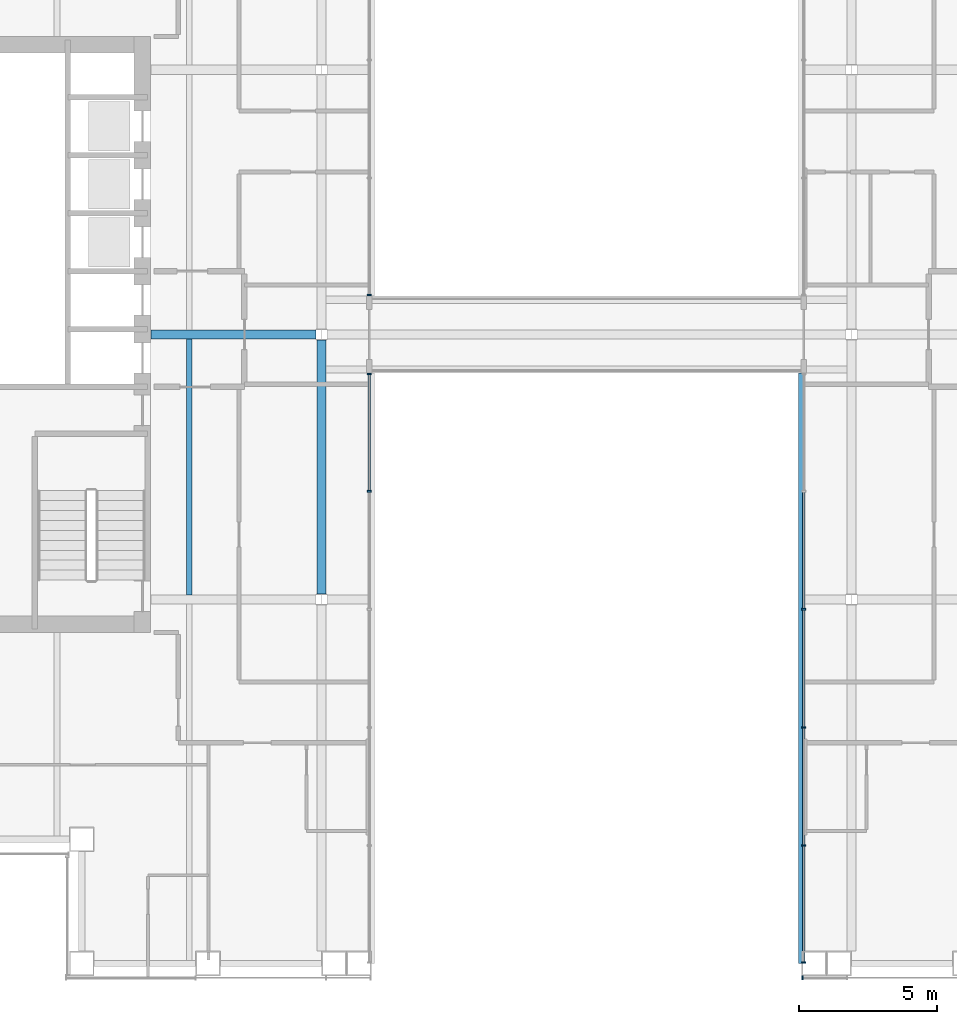
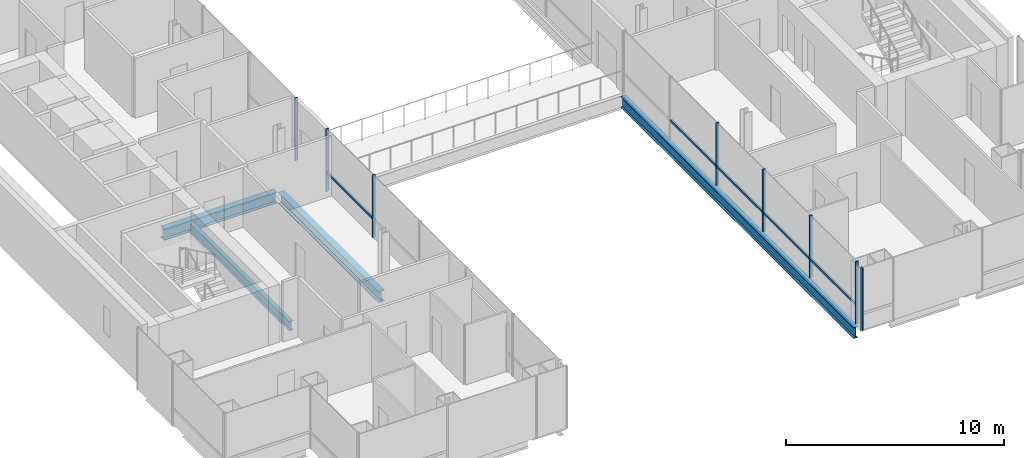
# One storey, part 3 of 16: 13 members, 4 beams, 4 elements without a shape of their own.
"""IFC4 building model written with IfcOpenShell, lengths in metres."""

from ifc_helpers import new_model, si_unit, direction, frame, origin, origin_2d, place, context, subcontext, project, spatial, rectangle, i_section, extrude, material, material_profile, profile_set, type_object, element, aggregate, save


model = new_model("IFC4")

# Units and contexts
model_context = context("Model", 3, precision=1e-05, world=origin(), true_north=direction((0.0, 1.0)))
body_context = subcontext(model_context, "Body", "Model", "MODEL_VIEW")
ifc_project = project(units=[si_unit("LENGTHUNIT", "METRE"), si_unit("AREAUNIT", "SQUARE_METRE"), si_unit("VOLUMEUNIT", "CUBIC_METRE"), si_unit("PLANEANGLEUNIT", "RADIAN"), si_unit("MASSUNIT", "GRAM", prefix="KILO")], contexts=[model_context])

# Site, building, storey
site_placement = place(None, origin())
site = spatial("IfcSite", under=ifc_project, at=site_placement, CompositionType="ELEMENT")
building_placement = place(site_placement, origin())
building = spatial("IfcBuilding", under=site, at=building_placement, Name="Cobrizo Arcos Hotel Tower", CompositionType="ELEMENT")
storey_placement = place(building_placement, frame((0.0, 0.0, 127.5)))
storey = spatial("IfcBuildingStorey", under=building, at=storey_placement, Name="L32", CompositionType="ELEMENT", Elevation=127.5)

# Curtain wall, member
ifc_material_1 = material(Name="Aluminium 6063-T6 anodised bronze", Category="aluminium")
curtain_wall_type_1 = type_object("IfcCurtainWallType", Name="CW-A guest facade", PredefinedType="NOTDEFINED", material=ifc_material_1)
curtain_wall_1_placement = place(storey_placement, origin())
curtain_wall_1 = element("IfcCurtainWall", 1, at=curtain_wall_1_placement, inside=storey, type_object=curtain_wall_type_1, Name="CW-A L32 S face", PredefinedType="NOTDEFINED")
ifc_material_profile_1 = material_profile(ifc_material_1, rectangle(XDim=0.14990234375, YDim=0.06005859375, at=origin_2d()), Name="CW-A mullion 150x60")
ifc_profile_set_1 = profile_set([ifc_material_profile_1], Name="Aluminium 6063-T6 anodised bronze")
member_type_1 = type_object("IfcMemberType", Name="CW-A mullion 150x60", PredefinedType="MULLION", material=ifc_profile_set_1)
member_1_placement = place(storey_placement, frame((7.830078125, -23.324951171875, 0.0), z_axis=(0.0, 0.0, 1.0), x_axis=(0.0, -1.0, 0.0)))
member_1 = element("IfcMember", 2, at=member_1_placement, type_object=member_type_1, Name="CW-A mullion 1", PredefinedType="MULLION", context=body_context, shape_type="SweptSolid", body=[
    extrude(rectangle(XDim=0.14990234375, YDim=0.06005859375, at=origin_2d()), origin(), (0.0, 0.0, 1.0), 3.5),
])
aggregate(curtain_wall_1, [member_1])

# Curtain wall, members
curtain_wall_type_2 = type_object("IfcCurtainWallType", Name="CW-F void screen", PredefinedType="NOTDEFINED", material=ifc_material_1)
curtain_wall_2_placement = place(storey_placement, origin())
curtain_wall_2 = element("IfcCurtainWall", 3, at=curtain_wall_2_placement, inside=storey, type_object=curtain_wall_type_2, Name="CW-F L32 void screen B", PredefinedType="NOTDEFINED")
ifc_material_profile_2 = material_profile(ifc_material_1, rectangle(XDim=0.14990234375, YDim=0.06005859375, at=origin_2d()), Name="CW-F mullion 150x60")
ifc_profile_set_2 = profile_set([ifc_material_profile_2], Name="Aluminium 6063-T6 anodised bronze")
member_type_2 = type_object("IfcMemberType", Name="CW-F mullion 150x60", PredefinedType="MULLION", material=ifc_profile_set_2)
member_2_placement = place(storey_placement, frame((7.875, -22.77001953125, 0.0), z_axis=(0.0, 0.0, 1.0), x_axis=(1.0, 0.0, 0.0)))
member_2 = element("IfcMember", 4, at=member_2_placement, type_object=member_type_2, Name="CW-F mullion 1", PredefinedType="MULLION", context=body_context, shape_type="SweptSolid", body=[
    extrude(rectangle(XDim=0.14990234375, YDim=0.06005859375, at=origin_2d()), origin(), (0.0, 0.0, 1.0), 3.5),
])
member_3_placement = place(storey_placement, frame((7.875, -18.52001953125, 0.0), z_axis=(0.0, 0.0, 1.0), x_axis=(1.0, 0.0, 0.0)))
member_3 = element("IfcMember", 5, at=member_3_placement, type_object=member_type_2, Name="CW-F mullion 2", PredefinedType="MULLION", context=body_context, shape_type="SweptSolid", body=[
    extrude(rectangle(XDim=0.14990234375, YDim=0.06005859375, at=origin_2d()), origin(), (0.0, 0.0, 1.0), 3.5),
])
member_4_placement = place(storey_placement, frame((7.875, -14.239990234375, 0.0), z_axis=(0.0, 0.0, 1.0), x_axis=(1.0, 0.0, 0.0)))
member_4 = element("IfcMember", 6, at=member_4_placement, type_object=member_type_2, Name="CW-F mullion 3", PredefinedType="MULLION", context=body_context, shape_type="SweptSolid", body=[
    extrude(rectangle(XDim=0.14990234375, YDim=0.06005859375, at=origin_2d()), origin(), (0.0, 0.0, 1.0), 3.5),
])
member_5_placement = place(storey_placement, frame((7.875, -9.9599609375, 0.0), z_axis=(0.0, 0.0, 1.0), x_axis=(1.0, 0.0, 0.0)))
member_5 = element("IfcMember", 7, at=member_5_placement, type_object=member_type_2, Name="CW-F mullion 4", PredefinedType="MULLION", context=body_context, shape_type="SweptSolid", body=[
    extrude(rectangle(XDim=0.14990234375, YDim=0.06005859375, at=origin_2d()), origin(), (0.0, 0.0, 1.0), 3.5),
])

# Curtain wall, member
curtain_wall_3_placement = place(storey_placement, origin())
curtain_wall_3 = element("IfcCurtainWall", 8, at=curtain_wall_3_placement, inside=storey, type_object=curtain_wall_type_2, Name="CW-F L32 void screen B", PredefinedType="NOTDEFINED")
member_6_placement = place(storey_placement, frame((-7.875, 1.429931640625, 0.0), z_axis=(0.0, 0.0, 1.0), x_axis=(-1.0, 0.0, 0.0)))
member_6 = element("IfcMember", 9, at=member_6_placement, type_object=member_type_2, Name="CW-F mullion 6", PredefinedType="MULLION", context=body_context, shape_type="SweptSolid", body=[
    extrude(rectangle(XDim=0.14990234375, YDim=0.06005859375, at=origin_2d()), origin(), (0.0, 0.0, 1.0), 3.5),
])
aggregate(curtain_wall_3, [member_6])

# Curtain wall, members
curtain_wall_4_placement = place(storey_placement, origin())
curtain_wall_4 = element("IfcCurtainWall", 10, at=curtain_wall_4_placement, inside=storey, type_object=curtain_wall_type_2, Name="CW-F L32 void screen B", PredefinedType="NOTDEFINED")
member_7_placement = place(storey_placement, frame((-7.875, -1.429931640625, 0.0), z_axis=(0.0, 0.0, 1.0), x_axis=(-1.0, 0.0, 0.0)))
member_7 = element("IfcMember", 11, at=member_7_placement, type_object=member_type_2, Name="CW-F mullion 1", PredefinedType="MULLION", context=body_context, shape_type="SweptSolid", body=[
    extrude(rectangle(XDim=0.14990234375, YDim=0.06005859375, at=origin_2d()), origin(), (0.0, 0.0, 1.0), 3.5),
])
member_8_placement = place(storey_placement, frame((-7.875, -5.679931640625, 0.0), z_axis=(0.0, 0.0, 1.0), x_axis=(-1.0, 0.0, 0.0)))
member_8 = element("IfcMember", 12, at=member_8_placement, type_object=member_type_2, Name="CW-F mullion 2", PredefinedType="MULLION", context=body_context, shape_type="SweptSolid", body=[
    extrude(rectangle(XDim=0.14990234375, YDim=0.06005859375, at=origin_2d()), origin(), (0.0, 0.0, 1.0), 3.5),
])

# Member
ifc_material_profile_3 = material_profile(ifc_material_1, rectangle(XDim=0.10009765625, YDim=0.1201171875, at=origin_2d()), Name="CW-F transom 120x100")
ifc_profile_set_3 = profile_set([ifc_material_profile_3], Name="Aluminium 6063-T6 anodised bronze")
member_type_3 = type_object("IfcMemberType", Name="CW-F transom 120x100", PredefinedType="USERDEFINED", material=ifc_profile_set_3)
member_9_placement = place(storey_placement, frame((7.875, -22.739990234375, 1.050048828125), z_axis=(0.0, 1.0, 0.0), x_axis=(-1.0, 0.0, 0.0)))
member_9 = element("IfcMember", 13, at=member_9_placement, type_object=member_type_3, Name="CW-F transom 2626", ObjectType="TRANSOM", PredefinedType="USERDEFINED", context=body_context, shape_type="SweptSolid", body=[
    extrude(rectangle(XDim=0.10009765625, YDim=0.1201171875, at=origin_2d()), origin(), (0.0, 0.0, 1.0), 4.18994140625),
])

member_10_placement = place(storey_placement, frame((7.875, -18.489990234375, 1.050048828125), z_axis=(0.0, 1.0, 0.0), x_axis=(-1.0, 0.0, 0.0)))
member_10 = element("IfcMember", 14, at=member_10_placement, type_object=member_type_3, Name="CW-F transom 2627", ObjectType="TRANSOM", PredefinedType="USERDEFINED", context=body_context, shape_type="SweptSolid", body=[
    extrude(rectangle(XDim=0.10009765625, YDim=0.1201171875, at=origin_2d()), origin(), (0.0, 0.0, 1.0), 4.219970703125),
])

member_11_placement = place(storey_placement, frame((7.875, -14.2099609375, 1.050048828125), z_axis=(0.0, 1.0, 0.0), x_axis=(-1.0, 0.0, 0.0)))
member_11 = element("IfcMember", 15, at=member_11_placement, type_object=member_type_3, Name="CW-F transom 2628", ObjectType="TRANSOM", PredefinedType="USERDEFINED", context=body_context, shape_type="SweptSolid", body=[
    extrude(rectangle(XDim=0.10009765625, YDim=0.1201171875, at=origin_2d()), origin(), (0.0, 0.0, 1.0), 4.219970703125),
])

member_12_placement = place(storey_placement, frame((7.875, -9.929931640625, 1.050048828125), z_axis=(0.0, 1.0, 0.0), x_axis=(-1.0, 0.0, 0.0)))
member_12 = element("IfcMember", 16, at=member_12_placement, type_object=member_type_3, Name="CW-F transom 2629", ObjectType="TRANSOM", PredefinedType="USERDEFINED", context=body_context, shape_type="SweptSolid", body=[
    extrude(rectangle(XDim=0.10009765625, YDim=0.1201171875, at=origin_2d()), origin(), (0.0, 0.0, 1.0), 4.219970703125),
])

aggregate(curtain_wall_2, [member_2, member_3, member_4, member_5, member_9, member_10, member_11, member_12])

member_13_placement = place(storey_placement, frame((-7.875, -1.4599609375, 1.050048828125), z_axis=(0.0, -1.0, 0.0), x_axis=(1.0, 0.0, 0.0)))
member_13 = element("IfcMember", 17, at=member_13_placement, type_object=member_type_3, Name="CW-F transom 2641", ObjectType="TRANSOM", PredefinedType="USERDEFINED", context=body_context, shape_type="SweptSolid", body=[
    extrude(rectangle(XDim=0.10009765625, YDim=0.1201171875, at=origin_2d()), origin(), (0.0, 0.0, 1.0), 4.18994140625),
])

aggregate(curtain_wall_4, [member_7, member_8, member_13])

# Beams
ifc_material_2 = material(Name="Steel ASTM A992 Grade 50", Category="steel")
ifc_material_profile_4 = material_profile(ifc_material_2, i_section(OverallWidth=0.209228515625, OverallDepth=0.533447265625, WebThickness=0.01025390625, FlangeThickness=0.015625, at=origin_2d()), Name="W21X62")
ifc_profile_set_4 = profile_set([ifc_material_profile_4], Name="Steel ASTM A992 Grade 50")
beam_type_1 = type_object("IfcBeamType", Name="W21X62 joist", PredefinedType="JOIST", material=ifc_profile_set_4)
beam_1_placement = place(storey_placement, frame((-14.39990234375, -9.43603515625, -0.416748046875), z_axis=(0.0, 1.0, 0.0), x_axis=(-1.0, 0.0, 0.0)))
element("IfcBeam", 18, at=beam_1_placement, inside=storey, type_object=beam_type_1, Name="Floor joist J1, L32, no. 004", PredefinedType="JOIST", context=body_context, shape_type="SweptSolid", body=[
    extrude(i_section(OverallWidth=0.209228515625, OverallDepth=0.533447265625, WebThickness=0.01025390625, FlangeThickness=0.015625, at=origin_2d()), origin(), (0.0, 0.0, 1.0), 9.272216796875),
])
ifc_material_profile_5 = material_profile(ifc_material_2, i_section(OverallWidth=0.32763671875, OverallDepth=0.622314453125, WebThickness=0.015380859375, FlangeThickness=0.0244140625, at=origin_2d()), Name="W24X131")
ifc_profile_set_5 = profile_set([ifc_material_profile_5], Name="Steel ASTM A992 Grade 50")
beam_type_2 = type_object("IfcBeamType", Name="W24X131 girder", PredefinedType="BEAM", material=ifc_profile_set_5)
beam_2_placement = place(storey_placement, frame((-15.7900390625, 0.0, -0.461181640625), z_axis=(1.0, 0.0, 0.0), x_axis=(0.0, 1.0, 0.0)))
element("IfcBeam", 19, at=beam_2_placement, inside=storey, type_object=beam_type_2, Name="Floor girder G1, L32, no. 005", PredefinedType="BEAM", context=body_context, shape_type="SweptSolid", body=[
    extrude(i_section(OverallWidth=0.32763671875, OverallDepth=0.622314453125, WebThickness=0.015380859375, FlangeThickness=0.0244140625, at=origin_2d()), origin(), (0.0, 0.0, 1.0), 5.99072265625),
])
beam_3_placement = place(storey_placement, frame((-9.60009765625, -9.400634765625, -0.461181640625), z_axis=(0.0, 1.0, 0.0), x_axis=(-1.0, 0.0, 0.0)))
element("IfcBeam", 20, at=beam_3_placement, inside=storey, type_object=beam_type_2, Name="Floor girder G1, L32, no. 013", PredefinedType="BEAM", context=body_context, shape_type="SweptSolid", body=[
    extrude(i_section(OverallWidth=0.32763671875, OverallDepth=0.622314453125, WebThickness=0.015380859375, FlangeThickness=0.0244140625, at=origin_2d()), origin(), (0.0, 0.0, 1.0), 9.201171875),
])
ifc_material_profile_6 = material_profile(ifc_material_2, i_section(OverallWidth=0.23046875, OverallDepth=0.6171875, WebThickness=0.01318359375, FlangeThickness=0.022216796875, at=origin_2d()), Name="W24X94")
ifc_profile_set_6 = profile_set([ifc_material_profile_6], Name="Steel ASTM A992 Grade 50")
beam_type_3 = type_object("IfcBeamType", Name="W24X94 spandrel", PredefinedType="SPANDREL", material=ifc_profile_set_6)
beam_4_placement = place(storey_placement, frame((7.800048828125, -22.800048828125, -0.45849609375), z_axis=(0.0, 1.0, 0.0), x_axis=(-1.0, 0.0, 0.0)))
element("IfcBeam", 21, at=beam_4_placement, inside=storey, type_object=beam_type_3, Name="Spandrel beam W24X94, L32, no. 010", PredefinedType="SPANDREL", context=body_context, shape_type="SweptSolid", body=[
    extrude(i_section(OverallWidth=0.23046875, OverallDepth=0.6171875, WebThickness=0.01318359375, FlangeThickness=0.022216796875, at=origin_2d()), origin(), (0.0, 0.0, 1.0), 21.400146484375),
])

save(model, "model.ifc")
